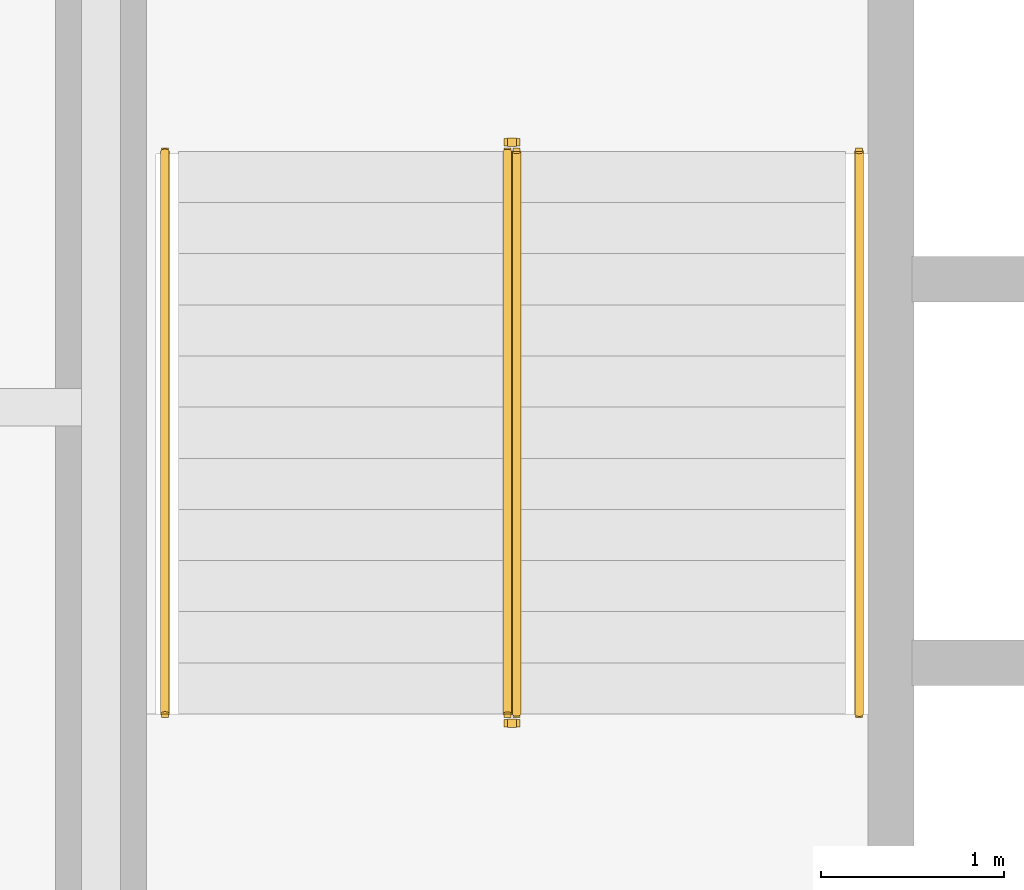
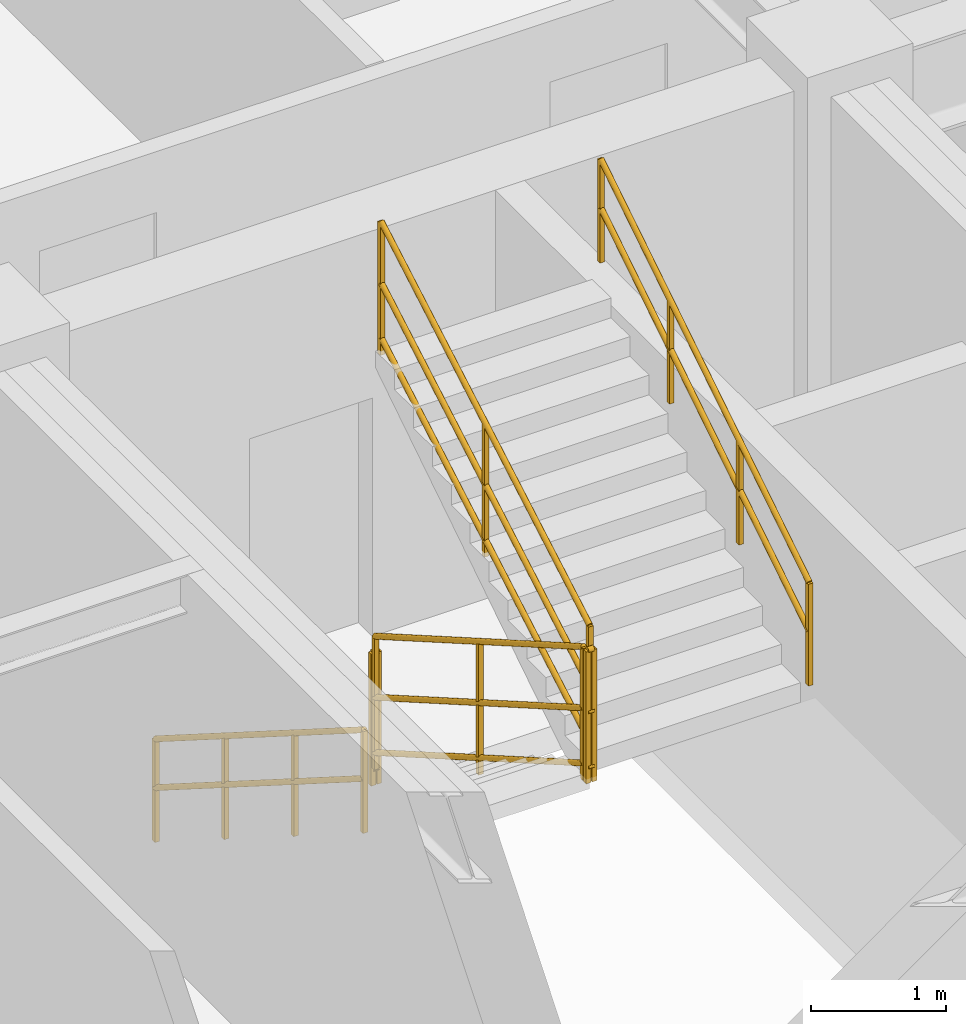
# One storey, part 11 of 11: 6 railings.
"""IFC4 building model written with IfcOpenShell, lengths in metres."""

import ifcopenshell
import ifcopenshell.guid

model = None  # the IFC model being written
_history = None  # IfcOwnerHistory: only IFC2X3 demands one
_inside = {}  # id of a spatial element -> (the spatial element, [elements in it])
_under = {}  # id of a project, library or spatial element -> (it, [spatial elements below it])
_declared = {}  # id of a project -> (the project, [libraries it declares])
_typed = {}  # id of a type object -> (the type object, [elements of that type])
_made_of = {}  # id of a material, layer set ... -> (it, [elements and type objects made of it])


def new_model(schema):
    """Start an empty IFC model of exactly this schema.

    Asked for "IFC4X3", IfcOpenShell would pick the latest addendum, in which some entities
    have other attributes; the version numbers below select the first issue.
    IFC2X3 requires an IfcOwnerHistory on every rooted entity: one is made here for all.
    """
    global model, _history
    if schema == "IFC4X3":
        model = ifcopenshell.file(schema_version=(4, 3, 0, 0))
    else:
        model = ifcopenshell.file(schema=schema)
    _inside.clear()
    _under.clear()
    _declared.clear()
    _typed.clear()
    _made_of.clear()
    _history = None
    if model.schema == "IFC2X3":
        org = make("IfcOrganization", Name="unknown")
        user = make(
            "IfcPersonAndOrganization",
            ThePerson=make("IfcPerson", FamilyName="unknown"),
            TheOrganization=org,
        )
        app = make(
            "IfcApplication",
            ApplicationDeveloper=org,
            Version="unknown",
            ApplicationFullName="unknown",
            ApplicationIdentifier="unknown",
        )
        _history = make(
            "IfcOwnerHistory",
            OwningUser=user,
            OwningApplication=app,
            ChangeAction="ADDED",
            CreationDate=0,
        )
    return model


def make(cls, **values):
    """One entity of the class cls with the attributes given. An attribute that is None is left unset."""
    return model.create_entity(
        cls, **{name: value for name, value in values.items() if value is not None}
    )


def entity(cls, *values):
    """Any entity or typed value of the class cls, its attributes in the order of the schema. None: left unset."""
    e = model.create_entity(cls)
    for i, value in enumerate(values):
        if value is not None:
            e[i] = value
    return e


def rooted(cls, **values):
    """An entity with a GlobalId (a new one), such as an element, a storey or a relation."""
    return make(cls, GlobalId=ifcopenshell.guid.new(), OwnerHistory=_history, **values)


def si_unit(unit_type, name, prefix=None):
    """IfcSIUnit, for example si_unit("LENGTHUNIT", "METRE", prefix="MILLI")."""
    return make("IfcSIUnit", UnitType=unit_type, Prefix=prefix, Name=name)


def converted_unit(unit_type, name, factor, base, dimensions=None, offset=None):
    """IfcConversionBasedUnit, such as the inch: factor (a typed value) times the base unit."""
    return make(
        "IfcConversionBasedUnit"
        if offset is None
        else "IfcConversionBasedUnitWithOffset",
        ConversionOffset=offset,
        Dimensions=None
        if dimensions is None
        else entity("IfcDimensionalExponents", *dimensions),
        UnitType=unit_type,
        Name=name,
        ConversionFactor=make(
            "IfcMeasureWithUnit", ValueComponent=factor, UnitComponent=base
        ),
    )


def assignment(units):
    """IfcUnitAssignment: the units of a project."""
    return None if units is None else make("IfcUnitAssignment", Units=units)


def point(xyz):
    """IfcCartesianPoint."""
    return None if xyz is None else make("IfcCartesianPoint", Coordinates=xyz)


def direction(xyz):
    """IfcDirection."""
    return None if xyz is None else make("IfcDirection", DirectionRatios=xyz)


def frame(location, z_axis=None, x_axis=None):
    """IfcAxis2Placement3D, a coordinate frame: its origin and axes. An axis left out is left unset."""
    return make(
        "IfcAxis2Placement3D",
        Location=point(location),
        Axis=direction(z_axis),
        RefDirection=direction(x_axis),
    )


def frame_2d(location, x_axis=None):
    """IfcAxis2Placement2D, a coordinate frame in the plane: its origin and x axis."""
    return make(
        "IfcAxis2Placement2D", Location=point(location), RefDirection=direction(x_axis)
    )


def origin_with_axes():
    """The frame at (0, 0, 0) with the z axis (0, 0, 1) and the x axis (1, 0, 0) written out."""
    return frame((0.0, 0.0, 0.0), z_axis=(0.0, 0.0, 1.0), x_axis=(1.0, 0.0, 0.0))


def origin_2d_with_axis():
    """The frame at (0, 0) in the plane with the x axis (1, 0) written out."""
    return frame_2d((0.0, 0.0), x_axis=(1.0, 0.0))


def place(relative_to, where):
    """IfcLocalPlacement: puts the frame where relative to a parent placement (None: the world)."""
    return make(
        "IfcLocalPlacement", PlacementRelTo=relative_to, RelativePlacement=where
    )


def context(
    kind, dimensions, precision=None, world=None, true_north=None, identifier=None
):
    """IfcGeometricRepresentationContext, for example the 3D "Model" context."""
    return make(
        "IfcGeometricRepresentationContext",
        ContextIdentifier=identifier,
        ContextType=kind,
        CoordinateSpaceDimension=dimensions,
        Precision=precision,
        WorldCoordinateSystem=world,
        TrueNorth=true_north,
    )


def subcontext(parent, identifier, kind, view, scale=None):
    """IfcGeometricRepresentationSubContext, for example "Body" below "Model"."""
    return make(
        "IfcGeometricRepresentationSubContext",
        ContextIdentifier=identifier,
        ContextType=kind,
        ParentContext=parent,
        TargetScale=scale,
        TargetView=view,
    )


def project(units=None, contexts=None):
    """IfcProject with its units and contexts."""
    return rooted(
        "IfcProject",
        Name="project",
        RepresentationContexts=contexts,
        UnitsInContext=assignment(units),
    )


def spatial(cls, under=None, at=None, **own):
    """A site, building, storey or space (cls), placed at a placement, below another one or the project."""
    s = rooted(cls, ObjectPlacement=at, **own)
    if under is not None:
        _under.setdefault(under.id(), (under, []))[1].append(s)
    return s


def profile(cls, at=None, kind="AREA", **sizes):
    """A parametric profile (cls). Its sizes go by their IFC names, for example OverallWidth=200.0."""
    return make(cls, ProfileType=kind, Position=at, **sizes)


def rectangle(**sizes):
    """IfcRectangleProfileDef."""
    return profile("IfcRectangleProfileDef", **sizes)


def circle(**sizes):
    """IfcCircleProfileDef."""
    return profile("IfcCircleProfileDef", **sizes)


def extrude(swept, where, along, depth):
    """IfcExtrudedAreaSolid: the profile swept, set in the frame where, extruded along a direction by depth."""
    return make(
        "IfcExtrudedAreaSolid",
        SweptArea=swept,
        Position=where,
        ExtrudedDirection=direction(along),
        Depth=depth,
    )


def shape(context_of_items, identifier, shape_type, items):
    """IfcShapeRepresentation: the items that make up one representation, for example the "Body"."""
    return make(
        "IfcShapeRepresentation",
        ContextOfItems=context_of_items,
        RepresentationIdentifier=identifier,
        RepresentationType=shape_type,
        Items=items,
    )


def material(Name=None, Category=None):
    """IfcMaterial."""
    return make("IfcMaterial", Name=Name, Category=Category)


def made_of(thing, what):
    """Note that an element or type object is made of a material, layer set ...; save() writes the relation."""
    if what is not None:
        _made_of.setdefault(what.id(), (what, []))[1].append(thing)
    return thing


def type_object(cls, material=None, **own):
    """A type object (cls), such as IfcWallType, which elements share."""
    return made_of(rooted(cls, **own), material)


def element(
    cls,
    number,
    at=None,
    inside=None,
    cuts=None,
    type_object=None,
    material=None,
    context=None,
    identifier="Body",
    shape_type=None,
    held_by="IfcProductDefinitionShape",
    body=None,
    shapes=None,
    **own,
):
    """One element of the class cls, such as IfcWall. Its Tag is "e" and its number.

    at: its placement. inside: the storey or other place that contains it. cuts: it is an
    opening in that element (IfcRelVoidsElement). A single representation is given by context,
    identifier, shape_type and body (its items); several are given by shapes. held_by: the class
    of the entity that holds the representations. save() writes the other relations.
    """
    e = rooted(cls, Tag="e%d" % number, ObjectPlacement=at, **own)
    if body is not None:
        shapes = [shape(context, identifier, shape_type, body)]
    if shapes is not None:
        e.Representation = make(held_by, Representations=shapes)
    if inside is not None:
        _inside.setdefault(inside.id(), (inside, []))[1].append(e)
    if cuts is not None:
        rooted(
            "IfcRelVoidsElement", RelatingBuildingElement=cuts, RelatedOpeningElement=e
        )
    if type_object is not None:
        _typed.setdefault(type_object.id(), (type_object, []))[1].append(e)
    return made_of(e, material)


def aggregate(whole, parts):
    """IfcRelAggregates: a whole, such as a stair, and the parts it consists of."""
    return rooted("IfcRelAggregates", RelatingObject=whole, RelatedObjects=parts)


def save(model, path):
    """Write the relations noted so far, then the file.

    IfcRelAggregates (storeys below a building ...), IfcRelContainedInSpatialStructure (elements
    in a storey), IfcRelDefinesByType, IfcRelAssociatesMaterial and IfcRelDeclares: one each for
    every whole, place, type object, material and project.
    """
    for whole, parts in _under.values():
        aggregate(whole, parts)
    for where, things in _inside.values():
        rooted(
            "IfcRelContainedInSpatialStructure",
            RelatedElements=things,
            RelatingStructure=where,
        )
    for kind, things in _typed.values():
        rooted("IfcRelDefinesByType", RelatedObjects=things, RelatingType=kind)
    for what, things in _made_of.values():
        rooted("IfcRelAssociatesMaterial", RelatedObjects=things, RelatingMaterial=what)
    for by, libraries in _declared.values():
        rooted("IfcRelDeclares", RelatingContext=by, RelatedDefinitions=libraries)
    model.write(path)


model = new_model("IFC4")

# Units and contexts
model_context = context("Model", 3, precision=1e-05, world=origin_with_axes(), true_north=direction((0.0, 1.0)))
body_context = subcontext(model_context, "Body", "Model", "MODEL_VIEW")
ifc_project = project(units=[si_unit("LENGTHUNIT", "METRE"), si_unit("AREAUNIT", "SQUARE_METRE"), si_unit("VOLUMEUNIT", "CUBIC_METRE"), converted_unit("PLANEANGLEUNIT", "DEGREE", entity("IfcPlaneAngleMeasure", 0.017453292519943295), si_unit("PLANEANGLEUNIT", "RADIAN"), dimensions=[0, 0, 0, 0, 0, 0, 0]), si_unit("MASSUNIT", "GRAM", prefix="KILO"), si_unit("THERMODYNAMICTEMPERATUREUNIT", "KELVIN")], contexts=[model_context])

# Site, building, storey
site_placement = place(None, origin_with_axes())
site = spatial("IfcSite", under=ifc_project, at=site_placement, CompositionType="ELEMENT")
building_placement = place(site_placement, origin_with_axes())
building = spatial("IfcBuilding", under=site, at=building_placement, Name="Varnlund Millrace Tower", CompositionType="ELEMENT")
storey_placement = place(building_placement, frame((0.0, 0.0, 208.2), z_axis=(0.0, 0.0, 1.0), x_axis=(1.0, 0.0, 0.0)))
storey = spatial("IfcBuildingStorey", under=building, at=storey_placement, Name="L51", CompositionType="ELEMENT", Elevation=208.2)

# Railings
ifc_material_1 = material(Name="Painted steel stair well balustrade guard", Category="steel")
railing_type_1 = type_object("IfcRailingType", Name="Type-StairGuard-1150", PredefinedType="GUARDRAIL", material=ifc_material_1)
railing_1_placement = place(storey_placement, frame((0.0, 0.0, -208.2), z_axis=(0.0, 0.0, 1.0), x_axis=(1.0, 0.0, 0.0)))
element("IfcRailing", 1, at=railing_1_placement, inside=storey, type_object=railing_type_1, Name="Type-StairGuard-1150", PredefinedType="GUARDRAIL", context=body_context, shape_type="SweptSolid", body=[
    extrude(circle(Radius=0.024, at=origin_2d_with_axis()), frame((13.625, 35.9, 209.527273), z_axis=(0.0, -0.866696, 0.498836), x_axis=(1.0, 0.0, 0.0)), (0.0, 0.0, 1.0), 3.553725),
    extrude(circle(Radius=0.024, at=origin_2d_with_axis()), frame((13.625, 35.9, 208.477273), z_axis=(0.0, -0.866696, 0.498836), x_axis=(1.0, 0.0, 0.0)), (0.0, 0.0, 1.0), 3.553725),
    extrude(circle(Radius=0.024, at=origin_2d_with_axis()), frame((13.625, 35.9, 208.975273), z_axis=(0.0, -0.866696, 0.498836), x_axis=(1.0, 0.0, 0.0)), (0.0, 0.0, 1.0), 3.553725),
    extrude(rectangle(XDim=0.04, YDim=0.04, at=origin_2d_with_axis()), frame((13.625, 35.9, 208.337273), z_axis=(0.0, 0.0, 1.0), x_axis=(1.0, 0.0, 0.0)), (0.0, 0.0, 1.0), 1.19),
    extrude(rectangle(XDim=0.04, YDim=0.04, at=origin_2d_with_axis()), frame((13.625, 34.36, 209.223637), z_axis=(0.0, 0.0, 1.0), x_axis=(1.0, 0.0, 0.0)), (0.0, 0.0, 1.0), 1.19),
    extrude(rectangle(XDim=0.04, YDim=0.04, at=origin_2d_with_axis()), frame((13.625, 32.82, 210.11), z_axis=(0.0, 0.0, 1.0), x_axis=(1.0, 0.0, 0.0)), (0.0, 0.0, 1.0), 1.19),
])
railing_2_placement = place(storey_placement, frame((0.0, 0.0, -208.2), z_axis=(0.0, 0.0, 1.0), x_axis=(1.0, 0.0, 0.0)))
element("IfcRailing", 2, at=railing_2_placement, inside=storey, type_object=railing_type_1, Name="Type-StairGuard-1150", PredefinedType="GUARDRAIL", context=body_context, shape_type="SweptSolid", body=[
    extrude(circle(Radius=0.024, at=origin_2d_with_axis()), frame((13.675, 32.77, 211.3), z_axis=(-1.0, 0.0, 0.0), x_axis=(0.0, -1.0, 0.0)), (0.0, 0.0, 1.0), 0.05),
    extrude(circle(Radius=0.024, at=origin_2d_with_axis()), frame((13.675, 32.77, 210.25), z_axis=(-1.0, 0.0, 0.0), x_axis=(0.0, -1.0, 0.0)), (0.0, 0.0, 1.0), 0.05),
    extrude(circle(Radius=0.024, at=origin_2d_with_axis()), frame((13.675, 32.77, 210.748), z_axis=(-1.0, 0.0, 0.0), x_axis=(0.0, -1.0, 0.0)), (0.0, 0.0, 1.0), 0.05),
    extrude(rectangle(XDim=0.04, YDim=0.04, at=origin_2d_with_axis()), frame((13.675, 32.77, 210.11), z_axis=(0.0, 0.0, 1.0), x_axis=(1.0, 0.0, 0.0)), (0.0, 0.0, 1.0), 1.19),
    extrude(rectangle(XDim=0.04, YDim=0.04, at=origin_2d_with_axis()), frame((13.625, 32.77, 210.11), z_axis=(0.0, 0.0, 1.0), x_axis=(1.0, 0.0, 0.0)), (0.0, 0.0, 1.0), 1.19),
])
railing_3_placement = place(storey_placement, frame((0.0, 0.0, -208.2), z_axis=(0.0, 0.0, 1.0), x_axis=(1.0, 0.0, 0.0)))
element("IfcRailing", 3, at=railing_3_placement, inside=storey, type_object=railing_type_1, Name="Type-StairGuard-1150", PredefinedType="GUARDRAIL", context=body_context, shape_type="SweptSolid", body=[
    extrude(circle(Radius=0.024, at=origin_2d_with_axis()), frame((13.675, 32.82, 211.477273), z_axis=(0.0, 0.866696, 0.498836), x_axis=(-1.0, 0.0, 0.0)), (0.0, 0.0, 1.0), 3.553725),
    extrude(circle(Radius=0.024, at=origin_2d_with_axis()), frame((13.675, 32.82, 210.427273), z_axis=(0.0, 0.866696, 0.498836), x_axis=(-1.0, 0.0, 0.0)), (0.0, 0.0, 1.0), 3.553725),
    extrude(circle(Radius=0.024, at=origin_2d_with_axis()), frame((13.675, 32.82, 210.925273), z_axis=(0.0, 0.866696, 0.498836), x_axis=(-1.0, 0.0, 0.0)), (0.0, 0.0, 1.0), 3.553725),
    extrude(rectangle(XDim=0.04, YDim=0.04, at=origin_2d_with_axis()), frame((13.675, 32.82, 210.287273), z_axis=(0.0, 0.0, 1.0), x_axis=(1.0, 0.0, 0.0)), (0.0, 0.0, 1.0), 1.19),
    extrude(rectangle(XDim=0.04, YDim=0.04, at=origin_2d_with_axis()), frame((13.675, 34.36, 211.173637), z_axis=(0.0, 0.0, 1.0), x_axis=(1.0, 0.0, 0.0)), (0.0, 0.0, 1.0), 1.19),
    extrude(rectangle(XDim=0.04, YDim=0.04, at=origin_2d_with_axis()), frame((13.675, 35.9, 212.06), z_axis=(0.0, 0.0, 1.0), x_axis=(1.0, 0.0, 0.0)), (0.0, 0.0, 1.0), 1.19),
])
railing_4_placement = place(storey_placement, frame((0.0, 0.0, -208.2), z_axis=(0.0, 0.0, 1.0), x_axis=(1.0, 0.0, 0.0)))
element("IfcRailing", 4, at=railing_4_placement, inside=storey, type_object=railing_type_1, Name="Type-StairGuard-1150", PredefinedType="GUARDRAIL", context=body_context, shape_type="SweptSolid", body=[
    extrude(circle(Radius=0.024, at=origin_2d_with_axis()), frame((13.675, 35.95, 209.35), z_axis=(-1.0, 0.0, 0.0), x_axis=(0.0, -1.0, 0.0)), (0.0, 0.0, 1.0), 0.05),
    extrude(circle(Radius=0.024, at=origin_2d_with_axis()), frame((13.675, 35.95, 208.3), z_axis=(-1.0, 0.0, 0.0), x_axis=(0.0, -1.0, 0.0)), (0.0, 0.0, 1.0), 0.05),
    extrude(circle(Radius=0.024, at=origin_2d_with_axis()), frame((13.675, 35.95, 208.798), z_axis=(-1.0, 0.0, 0.0), x_axis=(0.0, -1.0, 0.0)), (0.0, 0.0, 1.0), 0.05),
    extrude(rectangle(XDim=0.04, YDim=0.04, at=origin_2d_with_axis()), frame((13.675, 35.95, 208.16), z_axis=(0.0, 0.0, 1.0), x_axis=(1.0, 0.0, 0.0)), (0.0, 0.0, 1.0), 1.19),
    extrude(rectangle(XDim=0.04, YDim=0.04, at=origin_2d_with_axis()), frame((13.625, 35.95, 208.16), z_axis=(0.0, 0.0, 1.0), x_axis=(1.0, 0.0, 0.0)), (0.0, 0.0, 1.0), 1.19),
])
ifc_material_2 = material(Name="Brushed architectural bronze stair handrail", Category="aluminium")
railing_type_2 = type_object("IfcRailingType", Name="Type-StairHandrail-900", PredefinedType="HANDRAIL", material=ifc_material_2)
railing_5_placement = place(storey_placement, frame((0.0, 0.0, -208.2), z_axis=(0.0, 0.0, 1.0), x_axis=(1.0, 0.0, 0.0)))
element("IfcRailing", 5, at=railing_5_placement, inside=storey, type_object=railing_type_2, Name="Type-StairHandrail-900", PredefinedType="HANDRAIL", context=body_context, shape_type="SweptSolid", body=[
    extrude(circle(Radius=0.024, at=origin_2d_with_axis()), frame((11.75, 35.9, 209.256995), z_axis=(0.0, -0.844902, 0.534922), x_axis=(1.0, 0.0, 0.0)), (0.0, 0.0, 1.0), 3.645394),
    extrude(circle(Radius=0.024, at=origin_2d_with_axis()), frame((11.75, 35.9, 208.817134), z_axis=(0.0, -0.844902, 0.534922), x_axis=(1.0, 0.0, 0.0)), (0.0, 0.0, 1.0), 3.645394),
    extrude(rectangle(XDim=0.04, YDim=0.04, at=origin_2d_with_axis()), frame((11.75, 35.9, 208.337273), z_axis=(0.0, 0.0, 1.0), x_axis=(1.0, 0.0, 0.0)), (0.0, 0.0, 1.0), 0.919722),
    extrude(rectangle(XDim=0.04, YDim=0.04, at=origin_2d_with_axis()), frame((11.75, 34.873333, 208.987273), z_axis=(0.0, 0.0, 1.0), x_axis=(1.0, 0.0, 0.0)), (0.0, 0.0, 1.0), 0.919722),
    extrude(rectangle(XDim=0.04, YDim=0.04, at=origin_2d_with_axis()), frame((11.75, 33.846667, 209.637273), z_axis=(0.0, 0.0, 1.0), x_axis=(1.0, 0.0, 0.0)), (0.0, 0.0, 1.0), 0.919722),
    extrude(rectangle(XDim=0.04, YDim=0.04, at=origin_2d_with_axis()), frame((11.75, 32.82, 210.287273), z_axis=(0.0, 0.0, 1.0), x_axis=(1.0, 0.0, 0.0)), (0.0, 0.0, 1.0), 0.919722),
])
railing_6_placement = place(storey_placement, frame((0.0, 0.0, -208.2), z_axis=(0.0, 0.0, 1.0), x_axis=(1.0, 0.0, 0.0)))
element("IfcRailing", 6, at=railing_6_placement, inside=storey, type_object=railing_type_2, Name="Type-StairHandrail-900", PredefinedType="HANDRAIL", context=body_context, shape_type="SweptSolid", body=[
    extrude(circle(Radius=0.024, at=origin_2d_with_axis()), frame((15.55, 32.82, 211.206995), z_axis=(0.0, 0.844902, 0.534922), x_axis=(-1.0, 0.0, 0.0)), (0.0, 0.0, 1.0), 3.645394),
    extrude(circle(Radius=0.024, at=origin_2d_with_axis()), frame((15.55, 32.82, 210.767134), z_axis=(0.0, 0.844902, 0.534922), x_axis=(-1.0, 0.0, 0.0)), (0.0, 0.0, 1.0), 3.645394),
    extrude(rectangle(XDim=0.04, YDim=0.04, at=origin_2d_with_axis()), frame((15.55, 32.82, 210.287273), z_axis=(0.0, 0.0, 1.0), x_axis=(1.0, 0.0, 0.0)), (0.0, 0.0, 1.0), 0.919722),
    extrude(rectangle(XDim=0.04, YDim=0.04, at=origin_2d_with_axis()), frame((15.55, 33.846667, 210.937273), z_axis=(0.0, 0.0, 1.0), x_axis=(1.0, 0.0, 0.0)), (0.0, 0.0, 1.0), 0.919722),
    extrude(rectangle(XDim=0.04, YDim=0.04, at=origin_2d_with_axis()), frame((15.55, 34.873333, 211.587273), z_axis=(0.0, 0.0, 1.0), x_axis=(1.0, 0.0, 0.0)), (0.0, 0.0, 1.0), 0.919722),
    extrude(rectangle(XDim=0.04, YDim=0.04, at=origin_2d_with_axis()), frame((15.55, 35.9, 212.237273), z_axis=(0.0, 0.0, 1.0), x_axis=(1.0, 0.0, 0.0)), (0.0, 0.0, 1.0), 0.919722),
])

save(model, "model.ifc")
